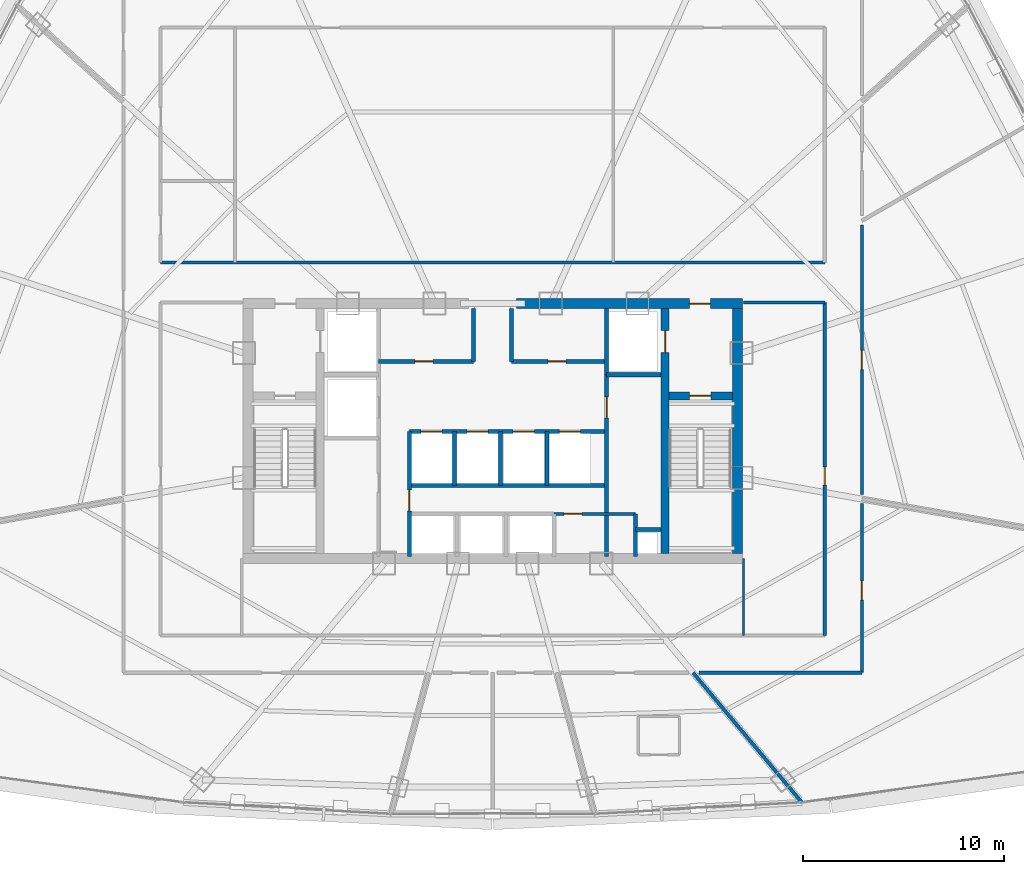
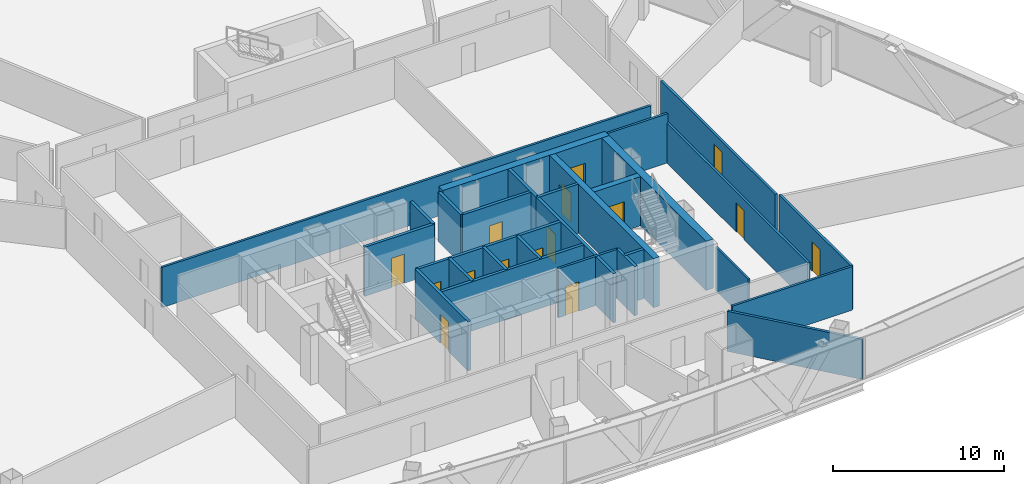
# One storey, part 30 of 36: 28 walls, 15 doors, 15 openings.
"""IFC4 building model written with IfcOpenShell, lengths in metres."""

from ifc_helpers import new_model, si_unit, direction, frame, frame_2d, origin, origin_with_axes, place, context, subcontext, project, spatial, rectangle, extrude, source, transform, mapped, material, layer, layer_set, type_object, element, fill, save


model = new_model("IFC4")

# Units and contexts
model_context = context("Model", 3, precision=1e-05, world=origin(), true_north=direction((0.0, 1.0)))
body_context = subcontext(model_context, "Body", "Model", "MODEL_VIEW")
ifc_project = project(units=[si_unit("LENGTHUNIT", "METRE"), si_unit("AREAUNIT", "SQUARE_METRE"), si_unit("VOLUMEUNIT", "CUBIC_METRE"), si_unit("PLANEANGLEUNIT", "RADIAN"), si_unit("MASSUNIT", "GRAM", prefix="KILO"), si_unit("THERMODYNAMICTEMPERATUREUNIT", "KELVIN"), si_unit("POWERUNIT", "WATT")], contexts=[model_context])

# Site, building, storey
site_placement = place(None, origin())
site = spatial("IfcSite", under=ifc_project, at=site_placement, CompositionType="ELEMENT")
building_placement = place(site_placement, origin())
building = spatial("IfcBuilding", under=site, at=building_placement, Name="Yunzhuo Pagoda Commons", CompositionType="ELEMENT")
storey_placement = place(building_placement, frame((0.0, 0.0, 215.159912109375)))
storey = spatial("IfcBuildingStorey", under=building, at=storey_placement, Name="L54", CompositionType="ELEMENT", Elevation=215.159912109375)

# Wall, opening, door
ifc_material_1 = material(Name="Concrete C50", Category="concrete")
ifc_layer_1 = layer(ifc_material_1, 0.5)
ifc_layer_set_1 = layer_set([ifc_layer_1], Name="Concrete C50")
wall_type_1 = type_object("IfcWallType", Name="W-C03 Upper Core Shear Wall 500", PredefinedType="SHEAR", material=ifc_layer_set_1)
wall_1_placement = place(storey_placement, frame((49.199951171875, 40.199951171875, 0.0), z_axis=(0.0, 0.0, 1.0), x_axis=(1.0, 0.0, 0.0)))
wall_1 = element("IfcWall", 1, at=wall_1_placement, inside=storey, type_object=wall_type_1, Name="L54 core shear wall NE", PredefinedType="SHEAR", context=body_context, shape_type="SweptSolid", body=[
    extrude(rectangle(XDim=11.25, YDim=0.5, at=frame_2d((5.625, 0.0))), origin(), (0.0, 0.0, 1.0), 3.52001953125),
])
opening_1_placement = place(wall_1_placement, frame((8.60009765625, 0.0, 0.0)))
opening_1 = element("IfcOpeningElement", 2, at=opening_1_placement, cuts=wall_1, Name="Opening D-02", PredefinedType="OPENING", context=body_context, shape_type="SweptSolid", body=[
    extrude(rectangle(XDim=1.050048828125, YDim=2.10009765625, at=frame_2d((0.52490234375, 1.050048828125))), frame((0.0, 0.260009765625, 0.0), z_axis=(0.0, -1.0, 0.0), x_axis=(1.0, 0.0, 0.0)), (0.0, 0.0, 1.0), 0.52001953125),
])
ifc_material_2 = material(Name="Galvanized fire-resisting metal leaf")
door_type_1 = type_object("IfcDoorType", Name="D-02 Firefighting Lobby & Refuge Fire Door 1050x2100", OperationType="NOTDEFINED", PredefinedType="DOOR", material=ifc_material_2)
shared_shape_1 = source(origin(), body_context, "Body", "SweptSolid", [
    extrude(rectangle(XDim=1.050048828125, YDim=2.10009765625, at=frame_2d((0.52490234375, 1.050048828125))), frame((0.0, 0.02490234375, 0.0), z_axis=(0.0, -1.0, 0.0), x_axis=(1.0, 0.0, 0.0)), (0.0, 0.0, 1.0), 0.050048828125),
])
door_1_placement = place(opening_1_placement, frame((1.050048828125, 0.0, 0.0), z_axis=(0.0, 0.0, 1.0), x_axis=(-1.0, 0.0, 0.0)))
door_1 = element("IfcDoor", 3, at=door_1_placement, inside=storey, type_object=door_type_1, Name="L54 Firefighting Lobby 2 fire door", OperationType="SINGLE_SWING_RIGHT", OverallHeight=2.10009765625, OverallWidth=1.050048828125, PredefinedType="DOOR", context=body_context, shape_type="MappedRepresentation", body=[
    mapped(shared_shape_1, transform((0.0, 0.0, 0.0), scale=1.0)),
])
fill(opening_1, door_1)

# Wall
wall_2_placement = place(storey_placement, frame((60.199951171875, 27.75, 0.0), z_axis=(0.0, 0.0, 1.0), x_axis=(0.0, 1.0, 0.0)))
element("IfcWall", 4, at=wall_2_placement, inside=storey, type_object=wall_type_1, Name="L54 core shear wall E", PredefinedType="SHEAR", context=body_context, shape_type="SweptSolid", body=[
    extrude(rectangle(XDim=12.199951171875, YDim=0.5, at=frame_2d((6.10009765625, 0.0))), origin(), (0.0, 0.0, 1.0), 3.52001953125),
])

# Wall, opening, door
ifc_material_3 = material(Name="Gypsum plasterboard on acoustic stud")
ifc_layer_2 = layer(ifc_material_3, 0.155029296875)
ifc_layer_set_2 = layer_set([ifc_layer_2], Name="Gypsum plasterboard on acoustic stud")
wall_type_2 = type_object("IfcWallType", Name="W-COR2 Mid-Zone Rated Corridor Wall 155", PredefinedType="PARTITIONING", material=ifc_layer_set_2)
wall_3_placement = place(storey_placement, frame((51.050048828125, 29.719970703125, 0.0), z_axis=(0.0, 0.0, 1.0), x_axis=(1.0, 0.0, 0.0)))
wall_3 = element("IfcWall", 5, at=wall_3_placement, inside=storey, type_object=wall_type_2, Name="L54 interior wall IW-L54-CSES", PredefinedType="PARTITIONING", context=body_context, shape_type="SweptSolid", body=[
    extrude(rectangle(XDim=4.070068359375, YDim=0.155029296875, at=frame_2d((2.03515625, 0.0))), origin(), (0.0, 0.0, 1.0), 3.52001953125),
])
opening_2_placement = place(wall_3_placement, frame((0.5, 0.0, 0.0)))
opening_2 = element("IfcOpeningElement", 6, at=opening_2_placement, cuts=wall_3, Name="Opening D-03", PredefinedType="OPENING", context=body_context, shape_type="SweptSolid", body=[
    extrude(rectangle(XDim=0.89990234375, YDim=2.10009765625, at=frame_2d((0.449951171875, 1.050048828125))), frame((0.0, 0.08740234375, 0.0), z_axis=(0.0, -1.0, 0.0), x_axis=(1.0, 0.0, 0.0)), (0.0, 0.0, 1.0), 0.175048828125),
])
door_type_2 = type_object("IfcDoorType", Name="D-03 Core Service Fire Door 900x2100", OperationType="NOTDEFINED", PredefinedType="DOOR", material=ifc_material_2)
shared_shape_2 = source(origin(), body_context, "Body", "SweptSolid", [
    extrude(rectangle(XDim=0.89990234375, YDim=2.10009765625, at=frame_2d((0.449951171875, 1.050048828125))), frame((0.0, 0.02490234375, 0.0), z_axis=(0.0, -1.0, 0.0), x_axis=(1.0, 0.0, 0.0)), (0.0, 0.0, 1.0), 0.050048828125),
])
door_2_placement = place(opening_2_placement, origin_with_axes())
door_2 = element("IfcDoor", 7, at=door_2_placement, inside=storey, type_object=door_type_2, Name="L54 cleaner store door", OperationType="SINGLE_SWING_LEFT", OverallHeight=2.10009765625, OverallWidth=0.89990234375, PredefinedType="DOOR", context=body_context, shape_type="MappedRepresentation", body=[
    mapped(shared_shape_2, transform((0.0, 0.0, 0.0), scale=1.0)),
])
fill(opening_2, door_2)

# Wall
wall_4_placement = place(storey_placement, frame((31.449951171875, 42.25, 0.0), z_axis=(0.0, 0.0, 1.0), x_axis=(1.0, 0.0, 0.0)))
element("IfcWall", 8, at=wall_4_placement, inside=storey, type_object=wall_type_2, Name="L54 interior wall IW-L54-MCNS", PredefinedType="PARTITIONING", context=body_context, shape_type="SweptSolid", body=[
    extrude(rectangle(XDim=33.10009765625, YDim=0.155029296875, at=frame_2d((16.550048828125, 0.0))), origin(), (0.0, 0.0, 1.0), 2.8701171875),
])

# Wall, opening, door
wall_5_placement = place(storey_placement, frame((64.550048828125, 23.64990234375, 0.0), z_axis=(0.0, 0.0, 1.0), x_axis=(0.0, 1.0, 0.0)))
wall_5 = element("IfcWall", 9, at=wall_5_placement, inside=storey, type_object=wall_type_2, Name="L54 interior wall IW-L54-SFLE", PredefinedType="PARTITIONING", context=body_context, shape_type="SweptSolid", body=[
    extrude(rectangle(XDim=16.60009765625, YDim=0.155029296875, at=frame_2d((8.300048828125, 0.0))), origin(), (0.0, 0.0, 1.0), 2.8701171875),
])
opening_3_placement = place(wall_5_placement, frame((7.5, 0.0, 0.0)))
opening_3 = element("IfcOpeningElement", 10, at=opening_3_placement, cuts=wall_5, Name="Opening D-12", PredefinedType="OPENING", context=body_context, shape_type="SweptSolid", body=[
    extrude(rectangle(XDim=0.89990234375, YDim=2.080078125, at=frame_2d((0.449951171875, 1.0400390625))), frame((0.0, 0.08740234375, 0.0), z_axis=(0.0, -1.0, 0.0), x_axis=(1.0, 0.0, 0.0)), (0.0, 0.0, 1.0), 0.175048828125),
])
ifc_material_4 = material(Name="Powder-coated aluminium and timber acoustic leaf", Category="wood")
door_type_3 = type_object("IfcDoorType", Name="D-12 Quiet Study Interior Door 900x2080", OperationType="NOTDEFINED", PredefinedType="DOOR", material=ifc_material_4)
shared_shape_3 = source(origin(), body_context, "Body", "SweptSolid", [
    extrude(rectangle(XDim=0.89990234375, YDim=2.080078125, at=frame_2d((0.449951171875, 1.0400390625))), frame((0.0, 0.02490234375, 0.0), z_axis=(0.0, -1.0, 0.0), x_axis=(1.0, 0.0, 0.0)), (0.0, 0.0, 1.0), 0.050048828125),
])
door_3_placement = place(opening_3_placement, frame((0.89990234375, 0.0, 0.0), z_axis=(0.0, 0.0, 1.0), x_axis=(-1.0, 0.0, 0.0)))
door_3 = element("IfcDoor", 11, at=door_3_placement, inside=storey, type_object=door_type_3, Name="L54 east study workroom door", OperationType="SINGLE_SWING_RIGHT", OverallHeight=2.080078125, OverallWidth=0.89990234375, PredefinedType="DOOR", context=body_context, shape_type="MappedRepresentation", body=[
    mapped(shared_shape_3, transform((0.0, 0.0, 0.0), scale=1.0)),
])
fill(opening_3, door_3)

# Wall
wall_6_placement = place(storey_placement, frame((60.5, 40.25, 0.0), z_axis=(0.0, 0.0, 1.0), x_axis=(1.0, 0.0, 0.0)))
element("IfcWall", 12, at=wall_6_placement, inside=storey, type_object=wall_type_2, Name="L54 interior wall IW-L54-SFLNE", PredefinedType="PARTITIONING", context=body_context, shape_type="SweptSolid", body=[
    extrude(rectangle(XDim=4.050048828125, YDim=0.155029296875, at=frame_2d((2.02490234375, 0.0))), origin(), (0.0, 0.0, 1.0), 3.52001953125),
])

# Wall, opening, door
wall_7_placement = place(storey_placement, frame((66.39990234375, 44.103515625, 0.0), z_axis=(0.0, 0.0, 1.0), x_axis=(0.0, -1.0, 0.0)))
wall_7 = element("IfcWall", 13, at=wall_7_placement, inside=storey, type_object=wall_type_2, Name="L54 interior wall IW-L54-CWL11", PredefinedType="PARTITIONING", context=body_context, shape_type="SweptSolid", body=[
    extrude(rectangle(XDim=13.42822265625, YDim=0.155029296875, at=frame_2d((6.714111328125, 0.0))), origin(), (0.0, 0.0, 1.0), 2.8701171875),
])
opening_4_placement = place(wall_7_placement, frame((6.239013671875, 0.0, 0.0)))
opening_4 = element("IfcOpeningElement", 14, at=opening_4_placement, cuts=wall_7, Name="Opening D-07", PredefinedType="OPENING", context=body_context, shape_type="SweptSolid", body=[
    extrude(rectangle(XDim=0.9599609375, YDim=2.1201171875, at=frame_2d((0.47998046875, 1.06005859375))), frame((0.0, 0.08740234375, 0.0), z_axis=(0.0, -1.0, 0.0), x_axis=(1.0, 0.0, 0.0)), (0.0, 0.0, 1.0), 0.175048828125),
])
door_type_4 = type_object("IfcDoorType", Name="D-07 Mid-Zone Suite Entrance Fire Door 960x2120", OperationType="NOTDEFINED", PredefinedType="DOOR", material=ifc_material_2)
shared_shape_4 = source(origin(), body_context, "Body", "SweptSolid", [
    extrude(rectangle(XDim=0.9599609375, YDim=2.1201171875, at=frame_2d((0.47998046875, 1.06005859375))), frame((0.0, 0.02490234375, 0.0), z_axis=(0.0, -1.0, 0.0), x_axis=(1.0, 0.0, 0.0)), (0.0, 0.0, 1.0), 0.050048828125),
])
door_4_placement = place(opening_4_placement, origin_with_axes())
door_4 = element("IfcDoor", 15, at=door_4_placement, inside=storey, type_object=door_type_4, Name="L54 Shared Resident Kitchen and Pantry door", OperationType="SINGLE_SWING_RIGHT", OverallHeight=2.1201171875, OverallWidth=0.9599609375, PredefinedType="DOOR", context=body_context, shape_type="MappedRepresentation", body=[
    mapped(shared_shape_4, transform((0.0, 0.0, 0.0), scale=1.0)),
])
fill(opening_4, door_4)

wall_8_placement = place(storey_placement, frame((66.39990234375, 30.232177734375, 0.0), z_axis=(0.0, 0.0, 1.0), x_axis=(0.0, -1.0, 0.0)))
wall_8 = element("IfcWall", 16, at=wall_8_placement, inside=storey, type_object=wall_type_2, Name="L54 interior wall IW-L54-CWL12", PredefinedType="PARTITIONING", context=body_context, shape_type="SweptSolid", body=[
    extrude(rectangle(XDim=8.43212890625, YDim=0.155029296875, at=frame_2d((4.216064453125, 0.0))), origin(), (0.0, 0.0, 1.0), 3.1201171875),
])
opening_5_placement = place(wall_8_placement, frame((3.859375, 0.0, 0.0)))
opening_5 = element("IfcOpeningElement", 17, at=opening_5_placement, cuts=wall_8, Name="Opening D-07", PredefinedType="OPENING", context=body_context, shape_type="SweptSolid", body=[
    extrude(rectangle(XDim=0.9599609375, YDim=2.1201171875, at=frame_2d((0.47998046875, 1.06005859375))), frame((0.0, 0.08740234375, 0.0), z_axis=(0.0, -1.0, 0.0), x_axis=(1.0, 0.0, 0.0)), (0.0, 0.0, 1.0), 0.175048828125),
])
door_5_placement = place(opening_5_placement, origin_with_axes())
door_5 = element("IfcDoor", 18, at=door_5_placement, inside=storey, type_object=door_type_4, Name="L54 unit 12 entrance door", OperationType="SINGLE_SWING_LEFT", OverallHeight=2.1201171875, OverallWidth=0.9599609375, PredefinedType="DOOR", context=body_context, shape_type="MappedRepresentation", body=[
    mapped(shared_shape_4, transform((0.0, 0.0, 0.0), scale=1.0)),
])
fill(opening_5, door_5)

# Walls
wall_9_placement = place(storey_placement, frame((66.39990234375, 21.800048828125, 0.0), z_axis=(0.0, 0.0, 1.0), x_axis=(-1.0, 0.0, 0.0)))
element("IfcWall", 19, at=wall_9_placement, inside=storey, type_object=wall_type_2, Name="L54 interior wall IW-L54-CWL13", PredefinedType="PARTITIONING", context=body_context, shape_type="SweptSolid", body=[
    extrude(rectangle(XDim=8.12744140625, YDim=0.155029296875, at=frame_2d((4.063720703125, 0.0))), origin(), (0.0, 0.0, 1.0), 3.1201171875),
])
ifc_layer_3 = layer(ifc_material_3, 0.1201171875)
ifc_layer_set_3 = layer_set([ifc_layer_3], Name="Gypsum plasterboard on acoustic stud")
wall_type_3 = type_object("IfcWallType", Name="W-PRT1 Suite & Bathroom Partition 120", PredefinedType="PARTITIONING", material=ifc_layer_set_3)
wall_10_placement = place(storey_placement, frame((60.5, 23.64990234375, 0.0), z_axis=(0.0, 0.0, 1.0), x_axis=(0.0, 1.0, 0.0)))
element("IfcWall", 20, at=wall_10_placement, inside=storey, type_object=wall_type_3, Name="L54 interior wall IW-L54-SFLD2", PredefinedType="PARTITIONING", context=body_context, shape_type="SweptSolid", body=[
    extrude(rectangle(XDim=3.85009765625, YDim=0.1201171875, at=frame_2d((1.925048828125, 0.0))), origin(), (0.0, 0.0, 1.0), 3.1201171875),
])
ifc_layer_4 = layer(ifc_material_3, 0.175048828125)
ifc_layer_set_4 = layer_set([ifc_layer_4], Name="Gypsum plasterboard on acoustic stud")
wall_type_4 = type_object("IfcWallType", Name="W-PRT3 Mid-Zone Demising Wall 175", PredefinedType="PARTITIONING", material=ifc_layer_set_4)
wall_11_placement = place(storey_placement, frame((57.9853515625, 21.800048828125, 0.0), z_axis=(0.0, 0.0, 1.0), x_axis=(0.642770599155, -0.766058716328, 0.0)))
element("IfcWall", 21, at=wall_11_placement, inside=storey, type_object=wall_type_4, Name="L54 interior wall IW-L54-RAD11", PredefinedType="PARTITIONING", context=body_context, shape_type="SweptSolid", body=[
    extrude(rectangle(XDim=8.437744140625, YDim=0.175048828125, at=frame_2d((4.21875, 0.0))), origin(), (0.0, 0.0, 1.0), 2.8701171875),
])

# Wall, opening, door
ifc_material_5 = material(Name="Concrete C60", Category="concrete")
ifc_layer_5 = layer(ifc_material_5, 0.39990234375)
ifc_layer_set_5 = layer_set([ifc_layer_5], Name="Concrete C60")
wall_type_5 = type_object("IfcWallType", Name="W-S01 Internal Core Shear Web 400", PredefinedType="SHEAR", material=ifc_layer_set_5)
wall_12_placement = place(storey_placement, frame((56.60009765625, 27.75, 0.0), z_axis=(0.0, 0.0, 1.0), x_axis=(0.0, 1.0, 0.0)))
wall_12 = element("IfcWall", 22, at=wall_12_placement, inside=storey, type_object=wall_type_5, Name="L54 core shear wall WEBE", PredefinedType="SHEAR", context=body_context, shape_type="SweptSolid", body=[
    extrude(rectangle(XDim=12.199951171875, YDim=0.39990234375, at=frame_2d((6.10009765625, 0.0))), origin(), (0.0, 0.0, 1.0), 3.52001953125),
])
opening_6_placement = place(wall_12_placement, frame((10.0, 0.0, 0.0)))
opening_6 = element("IfcOpeningElement", 23, at=opening_6_placement, cuts=wall_12, Name="Opening LD-01", PredefinedType="OPENING", context=body_context, shape_type="SweptSolid", body=[
    extrude(rectangle(XDim=1.10009765625, YDim=2.10009765625, at=frame_2d((0.550048828125, 1.050048828125))), frame((0.0, 0.2099609375, 0.0), z_axis=(0.0, -1.0, 0.0), x_axis=(1.0, 0.0, 0.0)), (0.0, 0.0, 1.0), 0.419921875),
])
door_type_5 = type_object("IfcDoorType", Name="LD-01 Firefighting Lift Landing Door 1100x2100", OperationType="DOUBLE_DOOR_SLIDING", PredefinedType="DOOR", material=ifc_material_2)
shared_shape_5 = source(origin(), body_context, "Body", "SweptSolid", [
    extrude(rectangle(XDim=1.10009765625, YDim=2.10009765625, at=frame_2d((0.550048828125, 1.050048828125))), frame((0.0, 0.02490234375, 0.0), z_axis=(0.0, -1.0, 0.0), x_axis=(1.0, 0.0, 0.0)), (0.0, 0.0, 1.0), 0.050048828125),
])
door_6_placement = place(opening_6_placement, origin_with_axes())
door_6 = element("IfcDoor", 24, at=door_6_placement, inside=storey, type_object=door_type_5, Name="L54 Firefighting lift FL-2 landing door", OperationType="DOUBLE_DOOR_SLIDING", OverallHeight=2.10009765625, OverallWidth=1.10009765625, PredefinedType="DOOR", context=body_context, shape_type="MappedRepresentation", body=[
    mapped(shared_shape_5, transform((0.0, 0.0, 0.0), scale=1.0)),
])
fill(opening_6, door_6)

wall_13_placement = place(storey_placement, frame((56.800048828125, 35.60009765625, 0.0), z_axis=(0.0, 0.0, 1.0), x_axis=(1.0, 0.0, 0.0)))
wall_13 = element("IfcWall", 25, at=wall_13_placement, inside=storey, type_object=wall_type_5, Name="L54 core shear wall STE", PredefinedType="SHEAR", context=body_context, shape_type="SweptSolid", body=[
    extrude(rectangle(XDim=3.14990234375, YDim=0.39990234375, at=frame_2d((1.574951171875, 0.0))), origin(), (0.0, 0.0, 1.0), 3.52001953125),
])
opening_7_placement = place(wall_13_placement, frame((1.02001953125, 0.0, 0.0)))
opening_7 = element("IfcOpeningElement", 26, at=opening_7_placement, cuts=wall_13, Name="Opening D-01", PredefinedType="OPENING", context=body_context, shape_type="SweptSolid", body=[
    extrude(rectangle(XDim=1.050048828125, YDim=2.10009765625, at=frame_2d((0.52490234375, 1.050048828125))), frame((0.0, 0.2099609375, 0.0), z_axis=(0.0, -1.0, 0.0), x_axis=(1.0, 0.0, 0.0)), (0.0, 0.0, 1.0), 0.419921875),
])
door_type_6 = type_object("IfcDoorType", Name="D-01 Smokeproof Stair Fire Door 1050x2100", OperationType="NOTDEFINED", PredefinedType="DOOR", material=ifc_material_2)
door_7_placement = place(opening_7_placement, frame((1.050048828125, 0.0, 0.0), z_axis=(0.0, 0.0, 1.0), x_axis=(-1.0, 0.0, 0.0)))
door_7 = element("IfcDoor", 27, at=door_7_placement, inside=storey, type_object=door_type_6, Name="L54 Stair ST2 fire door", OperationType="SINGLE_SWING_RIGHT", OverallHeight=2.10009765625, OverallWidth=1.050048828125, PredefinedType="DOOR", context=body_context, shape_type="MappedRepresentation", body=[
    mapped(shared_shape_1, transform((0.0, 0.0, 0.0), scale=1.0)),
])
fill(opening_7, door_7)

# Walls
ifc_material_6 = material(Name="Concrete C40", Category="concrete")
ifc_layer_6 = layer(ifc_material_6, 0.199951171875)
ifc_layer_set_6 = layer_set([ifc_layer_6], Name="Concrete C40")
wall_type_6 = type_object("IfcWallType", Name="W-SHF Shaft & Stair Enclosure Wall 200", PredefinedType="SOLIDWALL", material=ifc_layer_set_6)
wall_14_placement = place(storey_placement, frame((53.679931640625, 36.64990234375, 0.0), z_axis=(0.0, 0.0, 1.0), x_axis=(0.0, 1.0, 0.0)))
element("IfcWall", 28, at=wall_14_placement, inside=storey, type_object=wall_type_6, Name="L54 interior wall IW-L54-FL2W", PredefinedType="SOLIDWALL", context=body_context, shape_type="SweptSolid", body=[
    extrude(rectangle(XDim=3.300048828125, YDim=0.199951171875, at=frame_2d((1.64990234375, 0.0))), origin(), (0.0, 0.0, 1.0), 3.52001953125),
])
wall_15_placement = place(storey_placement, frame((53.679931640625, 36.64990234375, 0.0), z_axis=(0.0, 0.0, 1.0), x_axis=(1.0, 0.0, 0.0)))
element("IfcWall", 29, at=wall_15_placement, inside=storey, type_object=wall_type_6, Name="L54 interior wall IW-L54-FL2S", PredefinedType="SOLIDWALL", context=body_context, shape_type="SweptSolid", body=[
    extrude(rectangle(XDim=2.719970703125, YDim=0.199951171875, at=frame_2d((1.35986328125, 0.0))), origin(), (0.0, 0.0, 1.0), 3.52001953125),
])

# Wall, opening, door
wall_16_placement = place(storey_placement, frame((42.320068359375, 37.320068359375, 0.0), z_axis=(0.0, 0.0, 1.0), x_axis=(1.0, 0.0, 0.0)))
wall_16 = element("IfcWall", 30, at=wall_16_placement, inside=storey, type_object=wall_type_6, Name="L54 interior wall IW-L54-LBNW", PredefinedType="SOLIDWALL", context=body_context, shape_type="SweptSolid", body=[
    extrude(rectangle(XDim=4.72998046875, YDim=0.199951171875, at=frame_2d((2.364990234375, 0.0))), origin(), (0.0, 0.0, 1.0), 3.52001953125),
])
opening_8_placement = place(wall_16_placement, frame((1.800048828125, 0.0, 0.0)))
opening_8 = element("IfcOpeningElement", 31, at=opening_8_placement, cuts=wall_16, Name="Opening D-03", PredefinedType="OPENING", context=body_context, shape_type="SweptSolid", body=[
    extrude(rectangle(XDim=0.89990234375, YDim=2.10009765625, at=frame_2d((0.449951171875, 1.050048828125))), frame((0.0, 0.10986328125, 0.0), z_axis=(0.0, -1.0, 0.0), x_axis=(1.0, 0.0, 0.0)), (0.0, 0.0, 1.0), 0.219970703125),
])
door_8_placement = place(opening_8_placement, frame((0.89990234375, 0.0, 0.0), z_axis=(0.0, 0.0, 1.0), x_axis=(-1.0, 0.0, 0.0)))
door_8 = element("IfcDoor", 32, at=door_8_placement, inside=storey, type_object=door_type_2, Name="L54 core west store door", OperationType="SINGLE_SWING_LEFT", OverallHeight=2.10009765625, OverallWidth=0.89990234375, PredefinedType="DOOR", context=body_context, shape_type="MappedRepresentation", body=[
    mapped(shared_shape_2, transform((0.0, 0.0, 0.0), scale=1.0)),
])
fill(opening_8, door_8)

wall_17_placement = place(storey_placement, frame((48.949951171875, 37.320068359375, 0.0), z_axis=(0.0, 0.0, 1.0), x_axis=(1.0, 0.0, 0.0)))
wall_17 = element("IfcWall", 33, at=wall_17_placement, inside=storey, type_object=wall_type_6, Name="L54 interior wall IW-L54-LBNE", PredefinedType="SOLIDWALL", context=body_context, shape_type="SweptSolid", body=[
    extrude(rectangle(XDim=4.72998046875, YDim=0.199951171875, at=frame_2d((2.364990234375, 0.0))), origin(), (0.0, 0.0, 1.0), 3.52001953125),
])
opening_9_placement = place(wall_17_placement, frame((1.800048828125, 0.0, 0.0)))
opening_9 = element("IfcOpeningElement", 34, at=opening_9_placement, cuts=wall_17, Name="Opening D-03", PredefinedType="OPENING", context=body_context, shape_type="SweptSolid", body=[
    extrude(rectangle(XDim=0.89990234375, YDim=2.10009765625, at=frame_2d((0.449951171875, 1.050048828125))), frame((0.0, 0.10986328125, 0.0), z_axis=(0.0, -1.0, 0.0), x_axis=(1.0, 0.0, 0.0)), (0.0, 0.0, 1.0), 0.219970703125),
])
door_9_placement = place(opening_9_placement, frame((0.89990234375, 0.0, 0.0), z_axis=(0.0, 0.0, 1.0), x_axis=(-1.0, 0.0, 0.0)))
door_9 = element("IfcDoor", 35, at=door_9_placement, inside=storey, type_object=door_type_2, Name="L54 core east store door", OperationType="SINGLE_SWING_RIGHT", OverallHeight=2.10009765625, OverallWidth=0.89990234375, PredefinedType="DOOR", context=body_context, shape_type="MappedRepresentation", body=[
    mapped(shared_shape_2, transform((0.0, 0.0, 0.0), scale=1.0)),
])
fill(opening_9, door_9)

# Walls
for number, where, z_axis, x_axis, name in (
    (36, (47.050048828125, 37.320068359375, 0.0), (0.0, 0.0, 1.0), (0.0, 1.0, 0.0), "L54 interior wall IW-L54-THRW"),
    (37, (48.949951171875, 37.320068359375, 0.0), (0.0, 0.0, 1.0), (0.0, 1.0, 0.0), "L54 interior wall IW-L54-THRE"),
):
    element("IfcWall", number, at=place(storey_placement, frame(where, z_axis=z_axis, x_axis=x_axis)), inside=storey, type_object=wall_type_6, Name=name, PredefinedType="SOLIDWALL", context=body_context, shape_type="SweptSolid", body=[
        extrude(rectangle(XDim=2.6298828125, YDim=0.199951171875, at=frame_2d((1.31494140625, 0.0))), origin(), (0.0, 0.0, 1.0), 3.52001953125),
    ])

# Wall, openings, doors
wall_18_placement = place(storey_placement, frame((43.85009765625, 33.820068359375, 0.0), z_axis=(0.0, 0.0, 1.0), x_axis=(1.0, 0.0, 0.0)))
wall_18 = element("IfcWall", 38, at=wall_18_placement, inside=storey, type_object=wall_type_6, Name="L54 interior wall IW-L54-MLBS", PredefinedType="SOLIDWALL", context=body_context, shape_type="SweptSolid", body=[
    extrude(rectangle(XDim=9.829833984375, YDim=0.199951171875, at=frame_2d((4.9150390625, 0.0))), origin(), (0.0, 0.0, 1.0), 3.52001953125),
])
opening_10_placement = place(wall_18_placement, frame((0.574951171875, 0.0, 0.0)))
opening_10 = element("IfcOpeningElement", 39, at=opening_10_placement, cuts=wall_18, Name="Opening LD-02", PredefinedType="OPENING", context=body_context, shape_type="SweptSolid", body=[
    extrude(rectangle(XDim=1.050048828125, YDim=2.10009765625, at=frame_2d((0.52490234375, 1.050048828125))), frame((0.0, 0.10986328125, 0.0), z_axis=(0.0, -1.0, 0.0), x_axis=(1.0, 0.0, 0.0)), (0.0, 0.0, 1.0), 0.219970703125),
])
opening_11_placement = place(wall_18_placement, frame((2.875, 0.0, 0.0)))
opening_11 = element("IfcOpeningElement", 40, at=opening_11_placement, cuts=wall_18, Name="Opening LD-02", PredefinedType="OPENING", context=body_context, shape_type="SweptSolid", body=[
    extrude(rectangle(XDim=1.050048828125, YDim=2.10009765625, at=frame_2d((0.52490234375, 1.050048828125))), frame((0.0, 0.10986328125, 0.0), z_axis=(0.0, -1.0, 0.0), x_axis=(1.0, 0.0, 0.0)), (0.0, 0.0, 1.0), 0.219970703125),
])
opening_12_placement = place(wall_18_placement, frame((5.175048828125, 0.0, 0.0)))
opening_12 = element("IfcOpeningElement", 41, at=opening_12_placement, cuts=wall_18, Name="Opening LD-02", PredefinedType="OPENING", context=body_context, shape_type="SweptSolid", body=[
    extrude(rectangle(XDim=1.050048828125, YDim=2.10009765625, at=frame_2d((0.52490234375, 1.050048828125))), frame((0.0, 0.10986328125, 0.0), z_axis=(0.0, -1.0, 0.0), x_axis=(1.0, 0.0, 0.0)), (0.0, 0.0, 1.0), 0.219970703125),
])
opening_13_placement = place(wall_18_placement, frame((7.47509765625, 0.0, 0.0)))
opening_13 = element("IfcOpeningElement", 42, at=opening_13_placement, cuts=wall_18, Name="Opening LD-02", PredefinedType="OPENING", context=body_context, shape_type="SweptSolid", body=[
    extrude(rectangle(XDim=1.050048828125, YDim=2.10009765625, at=frame_2d((0.52490234375, 1.050048828125))), frame((0.0, 0.10986328125, 0.0), z_axis=(0.0, -1.0, 0.0), x_axis=(1.0, 0.0, 0.0)), (0.0, 0.0, 1.0), 0.219970703125),
])
door_type_7 = type_object("IfcDoorType", Name="LD-02 Passenger Lift Landing Door 1050x2100", OperationType="DOUBLE_DOOR_SLIDING", PredefinedType="DOOR", material=ifc_material_2)
door_10_placement = place(opening_10_placement, origin_with_axes())
door_10 = element("IfcDoor", 43, at=door_10_placement, inside=storey, type_object=door_type_7, Name="L54 Passenger lift PL-M1 landing door", OperationType="DOUBLE_DOOR_SLIDING", OverallHeight=2.10009765625, OverallWidth=1.050048828125, PredefinedType="DOOR", context=body_context, shape_type="MappedRepresentation", body=[
    mapped(shared_shape_1, transform((0.0, 0.0, 0.0), scale=1.0)),
])
fill(opening_10, door_10)
door_11_placement = place(opening_11_placement, origin_with_axes())
door_11 = element("IfcDoor", 44, at=door_11_placement, inside=storey, type_object=door_type_7, Name="L54 Passenger lift PL-M2 landing door", OperationType="DOUBLE_DOOR_SLIDING", OverallHeight=2.10009765625, OverallWidth=1.050048828125, PredefinedType="DOOR", context=body_context, shape_type="MappedRepresentation", body=[
    mapped(shared_shape_1, transform((0.0, 0.0, 0.0), scale=1.0)),
])
fill(opening_11, door_11)
door_12_placement = place(opening_12_placement, origin_with_axes())
door_12 = element("IfcDoor", 45, at=door_12_placement, inside=storey, type_object=door_type_7, Name="L54 Passenger lift PL-M3 landing door", OperationType="DOUBLE_DOOR_SLIDING", OverallHeight=2.10009765625, OverallWidth=1.050048828125, PredefinedType="DOOR", context=body_context, shape_type="MappedRepresentation", body=[
    mapped(shared_shape_1, transform((0.0, 0.0, 0.0), scale=1.0)),
])
fill(opening_12, door_12)
door_13_placement = place(opening_13_placement, origin_with_axes())
door_13 = element("IfcDoor", 46, at=door_13_placement, inside=storey, type_object=door_type_7, Name="L54 Passenger lift PL-M4 landing door", OperationType="DOUBLE_DOOR_SLIDING", OverallHeight=2.10009765625, OverallWidth=1.050048828125, PredefinedType="DOOR", context=body_context, shape_type="MappedRepresentation", body=[
    mapped(shared_shape_1, transform((0.0, 0.0, 0.0), scale=1.0)),
])
fill(opening_13, door_13)

# Wall, opening, door
wall_19_placement = place(storey_placement, frame((43.85009765625, 27.60009765625, 0.0), z_axis=(0.0, 0.0, 1.0), x_axis=(0.0, 1.0, 0.0)))
wall_19 = element("IfcWall", 47, at=wall_19_placement, inside=storey, type_object=wall_type_6, Name="L54 interior wall IW-L54-PLMW", PredefinedType="SOLIDWALL", context=body_context, shape_type="SweptSolid", body=[
    extrude(rectangle(XDim=6.219970703125, YDim=0.199951171875, at=frame_2d((3.10986328125, 0.0))), origin(), (0.0, 0.0, 1.0), 3.52001953125),
])
opening_14_placement = place(wall_19_placement, frame((2.25, 0.0, 0.0)))
opening_14 = element("IfcOpeningElement", 48, at=opening_14_placement, cuts=wall_19, Name="Opening D-02", PredefinedType="OPENING", context=body_context, shape_type="SweptSolid", body=[
    extrude(rectangle(XDim=1.050048828125, YDim=2.10009765625, at=frame_2d((0.52490234375, 1.050048828125))), frame((0.0, 0.10986328125, 0.0), z_axis=(0.0, -1.0, 0.0), x_axis=(1.0, 0.0, 0.0)), (0.0, 0.0, 1.0), 0.219970703125),
])
door_14_placement = place(opening_14_placement, frame((1.050048828125, 0.0, 0.0), z_axis=(0.0, 0.0, 1.0), x_axis=(-1.0, 0.0, 0.0)))
door_14 = element("IfcDoor", 49, at=door_14_placement, inside=storey, type_object=door_type_1, Name="L54 High-bank hall west door", OperationType="SINGLE_SWING_LEFT", OverallHeight=2.10009765625, OverallWidth=1.050048828125, PredefinedType="DOOR", context=body_context, shape_type="MappedRepresentation", body=[
    mapped(shared_shape_1, transform((0.0, 0.0, 0.0), scale=1.0)),
])
fill(opening_14, door_14)

wall_20_placement = place(storey_placement, frame((53.679931640625, 27.60009765625, 0.0), z_axis=(0.0, 0.0, 1.0), x_axis=(0.0, 1.0, 0.0)))
wall_20 = element("IfcWall", 50, at=wall_20_placement, inside=storey, type_object=wall_type_6, Name="L54 interior wall IW-L54-PLME", PredefinedType="SOLIDWALL", context=body_context, shape_type="SweptSolid", body=[
    extrude(rectangle(XDim=9.0498046875, YDim=0.199951171875, at=frame_2d((4.52490234375, 0.0))), origin(), (0.0, 0.0, 1.0), 3.52001953125),
])
opening_15_placement = place(wall_20_placement, frame((6.89990234375, 0.0, 0.0)))
opening_15 = element("IfcOpeningElement", 51, at=opening_15_placement, cuts=wall_20, Name="Opening D-02", PredefinedType="OPENING", context=body_context, shape_type="SweptSolid", body=[
    extrude(rectangle(XDim=1.050048828125, YDim=2.10009765625, at=frame_2d((0.52490234375, 1.050048828125))), frame((0.0, 0.10986328125, 0.0), z_axis=(0.0, -1.0, 0.0), x_axis=(1.0, 0.0, 0.0)), (0.0, 0.0, 1.0), 0.219970703125),
])
door_15_placement = place(opening_15_placement, origin_with_axes())
door_15 = element("IfcDoor", 52, at=door_15_placement, inside=storey, type_object=door_type_1, Name="L54 High-bank lift hall door", OperationType="SINGLE_SWING_RIGHT", OverallHeight=2.10009765625, OverallWidth=1.050048828125, PredefinedType="DOOR", context=body_context, shape_type="MappedRepresentation", body=[
    mapped(shared_shape_1, transform((0.0, 0.0, 0.0), scale=1.0)),
])
fill(opening_15, door_15)

# Walls
for number, where, z_axis, x_axis, name in (
    (53, (46.10009765625, 31.1201171875, 0.0), (0.0, 0.0, 1.0), (0.0, 1.0, 0.0), "L54 interior wall IW-L54-PLMD1"),
    (54, (48.39990234375, 31.1201171875, 0.0), (0.0, 0.0, 1.0), (0.0, 1.0, 0.0), "L54 interior wall IW-L54-PLMD2"),
    (55, (50.699951171875, 31.1201171875, 0.0), (0.0, 0.0, 1.0), (0.0, 1.0, 0.0), "L54 interior wall IW-L54-PLMD3"),
):
    element("IfcWall", number, at=place(storey_placement, frame(where, z_axis=z_axis, x_axis=x_axis)), inside=storey, type_object=wall_type_6, Name=name, PredefinedType="SOLIDWALL", context=body_context, shape_type="SweptSolid", body=[
        extrude(rectangle(XDim=2.699951171875, YDim=0.199951171875, at=frame_2d((1.35009765625, 0.0))), origin(), (0.0, 0.0, 1.0), 3.52001953125),
    ])
wall_21_placement = place(storey_placement, frame((43.85009765625, 31.1201171875, 0.0), z_axis=(0.0, 0.0, 1.0), x_axis=(1.0, 0.0, 0.0)))
element("IfcWall", 56, at=wall_21_placement, inside=storey, type_object=wall_type_6, Name="L54 interior wall IW-L54-PLMS2", PredefinedType="SOLIDWALL", context=body_context, shape_type="SweptSolid", body=[
    extrude(rectangle(XDim=9.829833984375, YDim=0.199951171875, at=frame_2d((4.9150390625, 0.0))), origin(), (0.0, 0.0, 1.0), 3.52001953125),
])
wall_22_placement = place(storey_placement, frame((55.1201171875, 27.60009765625, 0.0), z_axis=(0.0, 0.0, 1.0), x_axis=(0.0, 1.0, 0.0)))
element("IfcWall", 57, at=wall_22_placement, inside=storey, type_object=wall_type_6, Name="L54 interior wall IW-L54-RSHFW", PredefinedType="SOLIDWALL", context=body_context, shape_type="SweptSolid", body=[
    extrude(rectangle(XDim=2.119873046875, YDim=0.199951171875, at=frame_2d((1.06005859375, 0.0))), origin(), (0.0, 0.0, 1.0), 3.52001953125),
])
wall_23_placement = place(storey_placement, frame((55.1201171875, 28.949951171875, 0.0), z_axis=(0.0, 0.0, 1.0), x_axis=(1.0, 0.0, 0.0)))
element("IfcWall", 58, at=wall_23_placement, inside=storey, type_object=wall_type_6, Name="L54 interior wall IW-L54-RSHFN", PredefinedType="SOLIDWALL", context=body_context, shape_type="SweptSolid", body=[
    extrude(rectangle(XDim=1.27978515625, YDim=0.199951171875, at=frame_2d((0.639892578125, 0.0))), origin(), (0.0, 0.0, 1.0), 3.52001953125),
])

save(model, "model.ifc")
